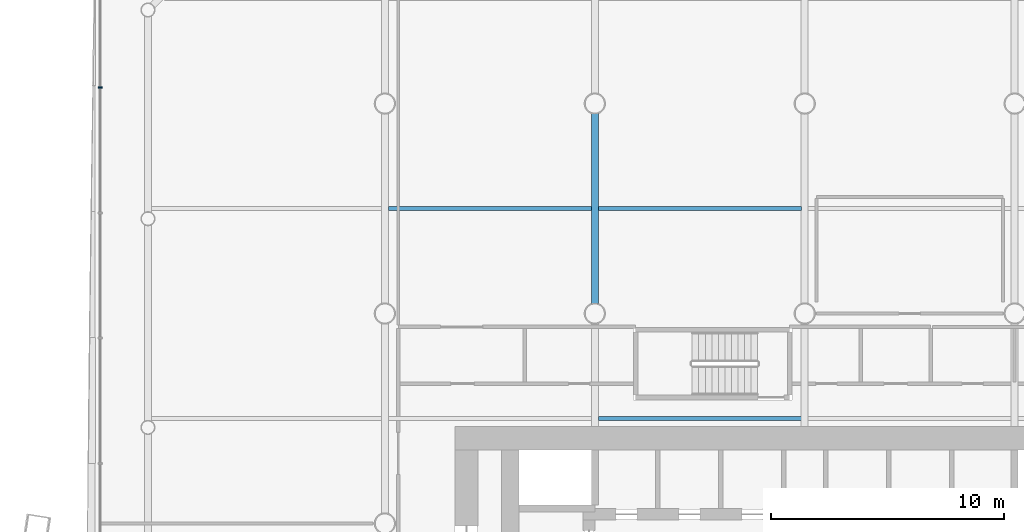
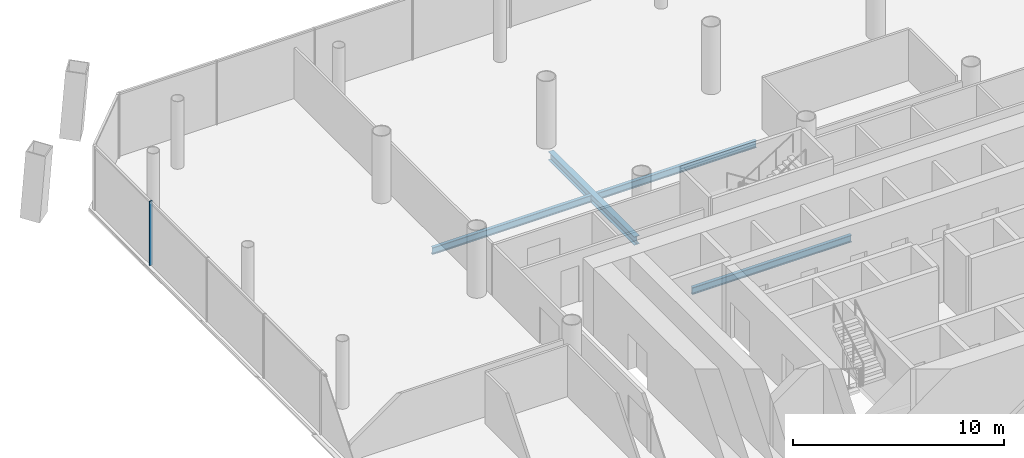
# One storey, part 9 of 22: 4 beams, 1 member, 1 element without a shape of its own.
"""IFC4 building model written with IfcOpenShell, lengths in metres."""

from ifc_helpers import new_model, si_unit, direction, frame, origin, origin_2d, place, context, subcontext, project, spatial, rectangle, i_section, extrude, material, material_profile, profile_set, type_object, element, aggregate, save


model = new_model("IFC4")

# Units and contexts
model_context = context("Model", 3, precision=1e-05, world=origin(), true_north=direction((0.0, 1.0)))
body_context = subcontext(model_context, "Body", "Model", "MODEL_VIEW")
ifc_project = project(units=[si_unit("LENGTHUNIT", "METRE"), si_unit("AREAUNIT", "SQUARE_METRE"), si_unit("VOLUMEUNIT", "CUBIC_METRE"), si_unit("PLANEANGLEUNIT", "RADIAN"), si_unit("MASSUNIT", "GRAM", prefix="KILO")], contexts=[model_context])

# Site, building, storey
site_placement = place(None, origin())
site = spatial("IfcSite", under=ifc_project, at=site_placement, CompositionType="ELEMENT")
building_placement = place(site_placement, origin())
building = spatial("IfcBuilding", under=site, at=building_placement, Name="Tskaro Facet Tower", CompositionType="ELEMENT")
storey_placement = place(building_placement, frame((0.0, 0.0, 30.300048828125)))
storey = spatial("IfcBuildingStorey", under=building, at=storey_placement, Name="L06", CompositionType="ELEMENT", Elevation=30.300048828125)

# Curtain wall, member
ifc_material_1 = material(Name="Bronze anodised aluminium 6063-T6", Category="aluminium")
curtain_wall_type = type_object("IfcCurtainWallType", Name="Bronze office curtain wall (FW1)", PredefinedType="NOTDEFINED", material=ifc_material_1)
curtain_wall_placement = place(storey_placement, origin())
curtain_wall = element("IfcCurtainWall", 1, at=curtain_wall_placement, inside=storey, type_object=curtain_wall_type, Name="FW1 west facet L06", PredefinedType="NOTDEFINED")
ifc_material_profile_1 = material_profile(ifc_material_1, rectangle(XDim=0.06005859375, YDim=0.159912109375, at=origin_2d()), Name="Mullion 60x160")
ifc_profile_set_1 = profile_set([ifc_material_profile_1], Name="Bronze anodised aluminium 6063-T6")
member_type = type_object("IfcMemberType", Name="FW1 bronze mullion 60x160", PredefinedType="MULLION", material=ifc_profile_set_1)
member_placement = place(storey_placement, frame((-30.201904296875, 18.69140625, 0.0), z_axis=(0.0, 0.0, 1.0), x_axis=(0.0, -1.0, 0.0)))
member = element("IfcMember", 2, at=member_placement, type_object=member_type, Name="FW1 west mullion 1", PredefinedType="MULLION", context=body_context, shape_type="SweptSolid", body=[
    extrude(rectangle(XDim=0.06005859375, YDim=0.159912109375, at=origin_2d()), origin(), (0.0, 0.0, 1.0), 3.699951171875),
])
aggregate(curtain_wall, [member])

# Beams
ifc_material_2 = material(Name="Steel S355J2", Category="steel")
ifc_material_profile_2 = material_profile(ifc_material_2, i_section(OverallWidth=0.300048828125, OverallDepth=0.489990234375, WebThickness=0.011962890625, FlangeThickness=0.02294921875, FilletRadius=0.027099609375, at=origin_2d()), Name="HE 500 A")
ifc_profile_set_2 = profile_set([ifc_material_profile_2], Name="Steel S355J2")
beam_type_1 = type_object("IfcBeamType", Name="HE 500 A girder", PredefinedType="BEAM", material=ifc_profile_set_2)
beam_placement = place(storey_placement, frame((-9.0, 9.42724609375, -0.385009765625), z_axis=(0.0, 1.0, 0.0), x_axis=(-1.0, 0.0, 0.0)))
element("IfcBeam", 3, at=beam_placement, inside=storey, type_object=beam_type_1, Name="HE 500 A GB3-4-1", PredefinedType="BEAM", context=body_context, shape_type="SweptSolid", body=[
    extrude(i_section(OverallWidth=0.300048828125, OverallDepth=0.489990234375, WebThickness=0.011962890625, FlangeThickness=0.02294921875, FilletRadius=0.027099609375, at=origin_2d()), origin(), (0.0, 0.0, 1.0), 8.1455078125),
])
ifc_material_profile_3 = material_profile(ifc_material_2, i_section(OverallWidth=0.179931640625, OverallDepth=0.39990234375, WebThickness=0.008544921875, FlangeThickness=0.013427734375, FilletRadius=0.02099609375, at=origin_2d()), Name="IPE 400")
ifc_profile_set_3 = profile_set([ifc_material_profile_3], Name="Steel S355J2")
beam_type_2 = type_object("IfcBeamType", Name="IPE 400 secondary beam", PredefinedType="BEAM", material=ifc_profile_set_3)
for number, where, z_axis, x_axis, name in (
    (4, (-8.85009765625, 4.5, -0.340087890625), (1.0, 0.0, 0.0), (0.0, 1.0, 0.0), "IPE 400 SB4a-3-1"),
    (5, (-17.85009765625, 13.5, -0.340087890625), (1.0, 0.0, 0.0), (0.0, 1.0, 0.0), "IPE 400 SB5a-2-1"),
    (6, (-8.85009765625, 13.5, -0.340087890625), (1.0, 0.0, 0.0), (0.0, 1.0, 0.0), "IPE 400 SB5a-3-1"),
):
    element("IfcBeam", number, at=place(storey_placement, frame(where, z_axis=z_axis, x_axis=x_axis)), inside=storey, type_object=beam_type_2, Name=name, PredefinedType="BEAM", context=body_context, shape_type="SweptSolid", body=[
        extrude(i_section(OverallWidth=0.179931640625, OverallDepth=0.39990234375, WebThickness=0.008544921875, FlangeThickness=0.013427734375, FilletRadius=0.02099609375, at=origin_2d()), origin(), (0.0, 0.0, 1.0), 8.7001953125),
    ])

save(model, "model.ifc")
